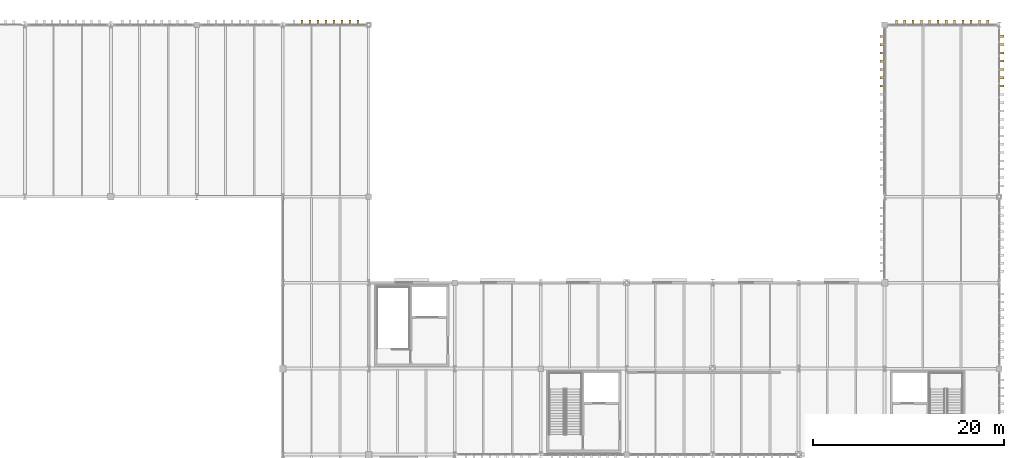
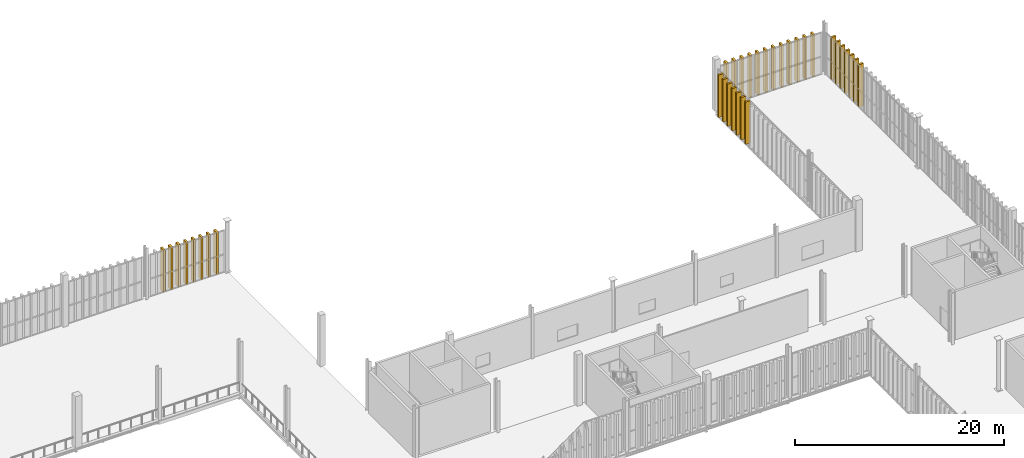
# One storey, part 211 of 211: 34 shading devices.
"""IFC4 building model written with IfcOpenShell, lengths in metres."""

from ifc_helpers import new_model, si_unit, direction, frame, origin, origin_2d, place, context, subcontext, project, spatial, rectangle, extrude, material, type_object, element, save


model = new_model("IFC4")

# Units and contexts
model_context = context("Model", 3, precision=1e-05, world=origin(), true_north=direction((0.0, 1.0)))
body_context = subcontext(model_context, "Body", "Model", "MODEL_VIEW")
ifc_project = project(units=[si_unit("LENGTHUNIT", "METRE"), si_unit("AREAUNIT", "SQUARE_METRE"), si_unit("VOLUMEUNIT", "CUBIC_METRE"), si_unit("PLANEANGLEUNIT", "RADIAN"), si_unit("MASSUNIT", "GRAM", prefix="KILO")], contexts=[model_context])

# Site, building, storey
site_placement = place(None, origin())
site = spatial("IfcSite", under=ifc_project, at=site_placement, CompositionType="ELEMENT")
building_placement = place(site_placement, origin())
building = spatial("IfcBuilding", under=site, at=building_placement, Name="Barlavento Convention Centre", CompositionType="ELEMENT")
storey_placement = place(building_placement, frame((0.0, 0.0, 6.0)))
storey = spatial("IfcBuildingStorey", under=building, at=storey_placement, Name="L01", CompositionType="ELEMENT", Elevation=6.0)

# Shading devices
ifc_material = material(Name="PVDF white extruded aluminium", Category="aluminium")
shading_device_type = type_object("IfcShadingDeviceType", Name="ARC-SHD-FIN-480", PredefinedType="USERDEFINED", material=ifc_material)
for number, where, z_axis, x_axis, name in (
    (1, (119.0302734375, 135.239990234375, 0.0), (0.0, 0.0, 1.0), (1.0, 0.0, 0.0), "White vertical solar shading fin VF01"),
    (2, (119.8671875, 135.239990234375, 0.0), (0.0, 0.0, 1.0), (1.0, 0.0, 0.0), "White vertical solar shading fin VF01"),
    (3, (120.704345703125, 135.239990234375, 0.0), (0.0, 0.0, 1.0), (1.0, 0.0, 0.0), "White vertical solar shading fin VF01"),
    (4, (121.54150390625, 135.239990234375, 0.0), (0.0, 0.0, 1.0), (1.0, 0.0, 0.0), "White vertical solar shading fin VF01"),
    (5, (122.37841796875, 135.239990234375, 0.0), (0.0, 0.0, 1.0), (1.0, 0.0, 0.0), "White vertical solar shading fin VF01"),
    (6, (123.215576171875, 135.239990234375, 0.0), (0.0, 0.0, 1.0), (1.0, 0.0, 0.0), "White vertical solar shading fin VF01"),
    (7, (124.052490234375, 135.239990234375, 0.0), (0.0, 0.0, 1.0), (1.0, 0.0, 0.0), "White vertical solar shading fin VF01"),
    (8, (124.8896484375, 135.239990234375, 0.0), (0.0, 0.0, 1.0), (1.0, 0.0, 0.0), "White vertical solar shading fin VF01"),
    (9, (192.239990234375, 128.579833984375, 0.0), (0.0, 0.0, 1.0), (0.0, 1.0, 0.0), "White vertical solar shading fin VF01"),
    (10, (192.239990234375, 129.44970703125, 0.0), (0.0, 0.0, 1.0), (0.0, 1.0, 0.0), "White vertical solar shading fin VF01"),
    (11, (192.239990234375, 130.3193359375, 0.0), (0.0, 0.0, 1.0), (0.0, 1.0, 0.0), "White vertical solar shading fin VF01"),
    (12, (192.239990234375, 131.18896484375, 0.0), (0.0, 0.0, 1.0), (0.0, 1.0, 0.0), "White vertical solar shading fin VF01"),
    (13, (192.239990234375, 132.058837890625, 0.0), (0.0, 0.0, 1.0), (0.0, 1.0, 0.0), "White vertical solar shading fin VF01"),
    (14, (192.239990234375, 132.928466796875, 0.0), (0.0, 0.0, 1.0), (0.0, 1.0, 0.0), "White vertical solar shading fin VF01"),
    (15, (192.239990234375, 133.79833984375, 0.0), (0.0, 0.0, 1.0), (0.0, 1.0, 0.0), "White vertical solar shading fin VF01"),
    (16, (181.239013671875, 135.239990234375, 0.0), (0.0, 0.0, 1.0), (1.0, 0.0, 0.0), "White vertical solar shading fin VF01"),
    (17, (182.108154296875, 135.239990234375, 0.0), (0.0, 0.0, 1.0), (1.0, 0.0, 0.0), "White vertical solar shading fin VF01"),
    (18, (182.977294921875, 135.239990234375, 0.0), (0.0, 0.0, 1.0), (1.0, 0.0, 0.0), "White vertical solar shading fin VF01"),
    (19, (183.84619140625, 135.239990234375, 0.0), (0.0, 0.0, 1.0), (1.0, 0.0, 0.0), "White vertical solar shading fin VF01"),
    (20, (184.71533203125, 135.239990234375, 0.0), (0.0, 0.0, 1.0), (1.0, 0.0, 0.0), "White vertical solar shading fin VF01"),
    (21, (185.58447265625, 135.239990234375, 0.0), (0.0, 0.0, 1.0), (1.0, 0.0, 0.0), "White vertical solar shading fin VF01"),
    (22, (186.45361328125, 135.239990234375, 0.0), (0.0, 0.0, 1.0), (1.0, 0.0, 0.0), "White vertical solar shading fin VF01"),
    (23, (187.322509765625, 135.239990234375, 0.0), (0.0, 0.0, 1.0), (1.0, 0.0, 0.0), "White vertical solar shading fin VF01"),
    (24, (188.191650390625, 135.239990234375, 0.0), (0.0, 0.0, 1.0), (1.0, 0.0, 0.0), "White vertical solar shading fin VF01"),
    (25, (189.060791015625, 135.239990234375, 0.0), (0.0, 0.0, 1.0), (1.0, 0.0, 0.0), "White vertical solar shading fin VF01"),
    (26, (189.9296875, 135.239990234375, 0.0), (0.0, 0.0, 1.0), (1.0, 0.0, 0.0), "White vertical solar shading fin VF01"),
    (27, (190.798828125, 135.239990234375, 0.0), (0.0, 0.0, 1.0), (1.0, 0.0, 0.0), "White vertical solar shading fin VF01"),
    (28, (179.760009765625, 128.592529296875, 0.0), (0.0, 0.0, 1.0), (0.0, 1.0, 0.0), "White vertical solar shading fin VF01"),
    (29, (179.760009765625, 129.455078125, 0.0), (0.0, 0.0, 1.0), (0.0, 1.0, 0.0), "White vertical solar shading fin VF01"),
    (30, (179.760009765625, 130.3173828125, 0.0), (0.0, 0.0, 1.0), (0.0, 1.0, 0.0), "White vertical solar shading fin VF01"),
    (31, (179.760009765625, 131.179931640625, 0.0), (0.0, 0.0, 1.0), (0.0, 1.0, 0.0), "White vertical solar shading fin VF01"),
    (32, (179.760009765625, 132.04248046875, 0.0), (0.0, 0.0, 1.0), (0.0, 1.0, 0.0), "White vertical solar shading fin VF01"),
    (33, (179.760009765625, 132.905029296875, 0.0), (0.0, 0.0, 1.0), (0.0, 1.0, 0.0), "White vertical solar shading fin VF01"),
    (34, (179.760009765625, 133.767578125, 0.0), (0.0, 0.0, 1.0), (0.0, 1.0, 0.0), "White vertical solar shading fin VF01"),
):
    element("IfcShadingDevice", number, at=place(storey_placement, frame(where, z_axis=z_axis, x_axis=x_axis)), inside=storey, type_object=shading_device_type, Name=name, ObjectType="FIN", PredefinedType="USERDEFINED", context=body_context, shape_type="SweptSolid", body=[
        extrude(rectangle(XDim=0.219970703125, YDim=0.52001953125, at=origin_2d()), origin(), (0.0, 0.0, 1.0), 4.949951171875),
    ])

save(model, "model.ifc")
